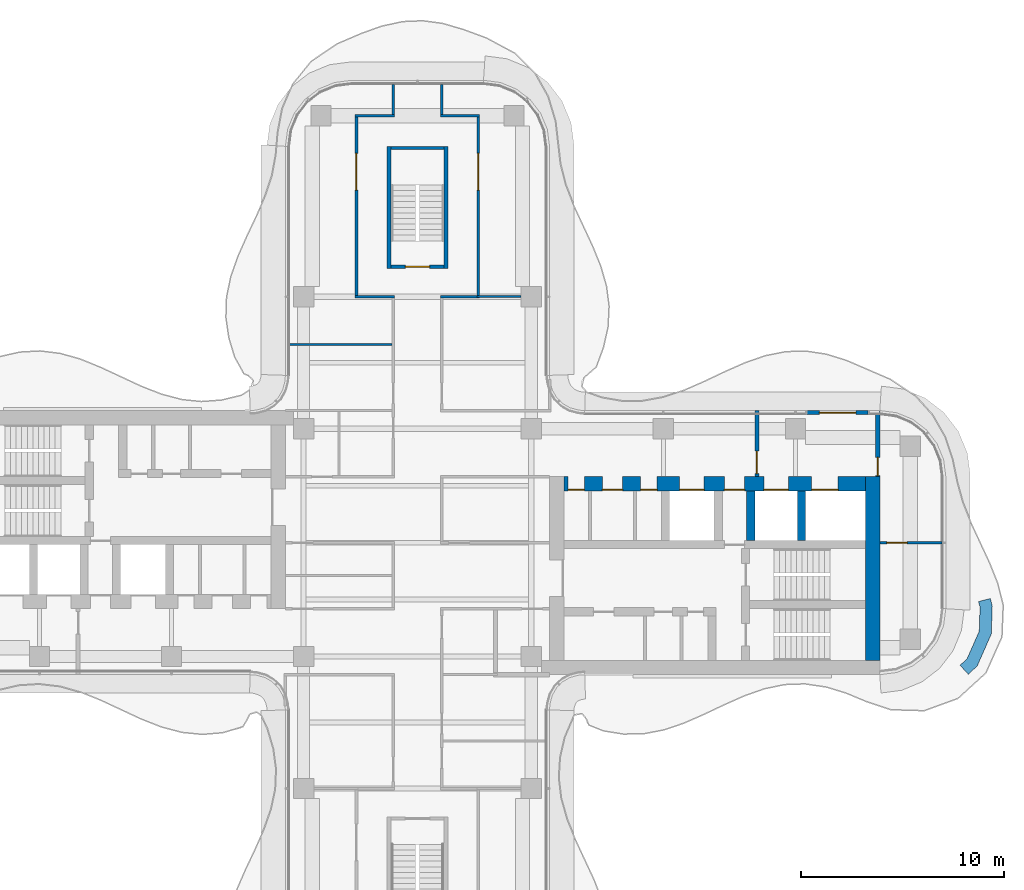
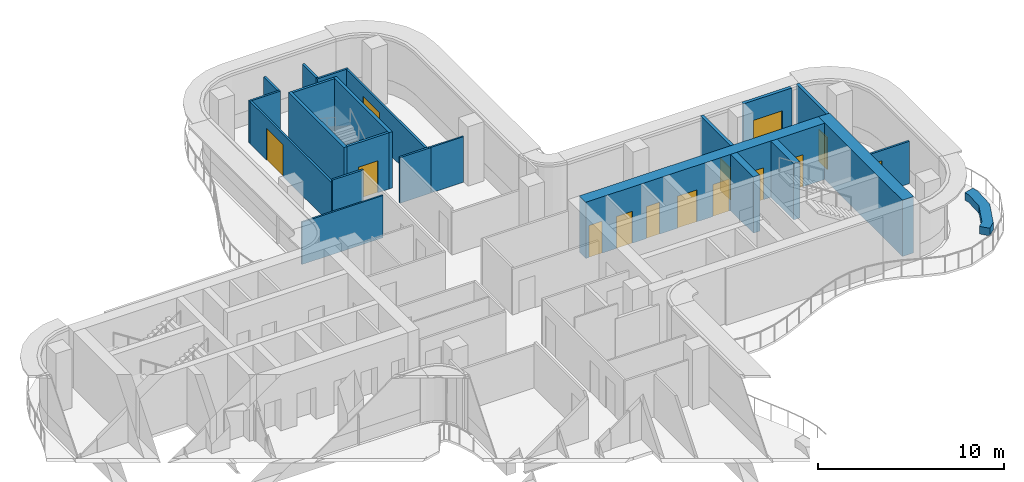
# One storey, part 14 of 17: 23 walls, 14 doors, 14 openings.
"""IFC4 building model written with IfcOpenShell, lengths in metres."""

from ifc_helpers import new_model, si_unit, direction, frame, frame_2d, origin, place, context, subcontext, project, spatial, polyline, rectangle, outline, extrude, source, transform, mapped, material, layer, layer_set, type_object, element, fill, save


model = new_model("IFC4")

# Units and contexts
model_context = context("Model", 3, precision=1e-05, world=origin(), true_north=direction((0.0, 1.0)))
body_context = subcontext(model_context, "Body", "Model", "MODEL_VIEW")
ifc_project = project(units=[si_unit("LENGTHUNIT", "METRE"), si_unit("AREAUNIT", "SQUARE_METRE"), si_unit("VOLUMEUNIT", "CUBIC_METRE"), si_unit("PLANEANGLEUNIT", "RADIAN"), si_unit("MASSUNIT", "GRAM", prefix="KILO")], contexts=[model_context])

# Site, building, storey
site_placement = place(None, origin())
site = spatial("IfcSite", under=ifc_project, at=site_placement, CompositionType="ELEMENT")
building_placement = place(site_placement, origin())
building = spatial("IfcBuilding", under=site, at=building_placement, Name="Trellis Farm Tower", CompositionType="ELEMENT")
storey_placement = place(building_placement, frame((0.0, 0.0, 295.0)))
storey = spatial("IfcBuildingStorey", under=building, at=storey_placement, Name="L66", CompositionType="ELEMENT", Elevation=295.0)

# Walls
ifc_material_1 = material(Name="Sandstone faced masonry planter", Category="masonry")
ifc_layer_1 = layer(ifc_material_1, 0.60009765625)
ifc_layer_set_1 = layer_set([ifc_layer_1], Name="PLANTER BED 600")
wall_type_1 = type_object("IfcWallType", Name="PLANTER BED 600", PredefinedType="USERDEFINED", material=ifc_layer_set_1)
wall_1_placement = place(storey_placement, origin())
element("IfcWall", 1, at=wall_1_placement, inside=storey, type_object=wall_type_1, Name="PLANTER bed", ObjectType="PLANTER", PredefinedType="USERDEFINED", context=body_context, shape_type="SweptSolid", body=[
    extrude(outline(polyline([(28.28515625, -3.113037109375), (28.236328125, -4.49951171875), (27.541015625, -6.077392578125), (27.102294921875, -6.477294921875), (26.697998046875, -6.03369140625), (27.04296875, -5.719482421875), (27.640869140625, -4.36328125), (27.682373046875, -3.179443359375), (27.609619140625, -2.900146484375), (28.190185546875, -2.7490234375), (28.28515625, -3.113037109375)])), origin(), (0.0, 0.0, 1.0), 0.5),
])
ifc_material_2 = material(Name="Concrete C50/60", Category="concrete")
ifc_layer_2 = layer(ifc_material_2, 0.699951171875)
ifc_layer_set_2 = layer_set([ifc_layer_2], Name="CORE OUTER WALL 700 CONCRETE C50/60")
wall_type_2 = type_object("IfcWallType", Name="CORE OUTER WALL 700 CONCRETE C50/60", PredefinedType="SHEAR", material=ifc_layer_set_2)
shared_shape_1 = source(origin(), body_context, "Body", "SweptSolid", [
    extrude(rectangle(XDim=9.050048828125, YDim=0.699951171875, at=frame_2d((4.52490234375, 0.0))), origin(), (0.0, 0.0, 1.0), 3.699951171875),
])
wall_2_placement = place(storey_placement, frame((22.39990234375, -5.800048828125, 0.0), z_axis=(0.0, 0.0, 1.0), x_axis=(0.0, 1.0, 0.0)))
element("IfcWall", 2, at=wall_2_placement, inside=storey, type_object=wall_type_2, Name="Core wall", PredefinedType="SHEAR", context=body_context, shape_type="MappedRepresentation", body=[
    mapped(shared_shape_1, transform((0.0, 0.0, 0.0))),
])
ifc_layer_3 = layer(ifc_material_2, 0.39990234375)
ifc_layer_set_3 = layer_set([ifc_layer_3], Name="CORE INNER WALL 400 CONCRETE C50/60")
wall_type_3 = type_object("IfcWallType", Name="CORE INNER WALL 400 CONCRETE C50/60", PredefinedType="SHEAR", material=ifc_layer_set_3)
shared_shape_2 = source(origin(), body_context, "Body", "SweptSolid", [
    extrude(rectangle(XDim=2.449951171875, YDim=0.39990234375, at=frame_2d((1.22509765625, 0.0))), origin(), (0.0, 0.0, 1.0), 3.699951171875),
])
for number, where, z_axis, x_axis, name in (
    (3, (16.39990234375, 0.10009765625, 0.0), (0.0, 0.0, 1.0), (0.0, 1.0, 0.0), "Core wall"),
    (4, (18.89990234375, 0.10009765625, 0.0), (0.0, 0.0, 1.0), (0.0, 1.0, 0.0), "Core wall"),
):
    element("IfcWall", number, at=place(storey_placement, frame(where, z_axis=z_axis, x_axis=x_axis)), inside=storey, type_object=wall_type_3, Name=name, PredefinedType="SHEAR", context=body_context, shape_type="MappedRepresentation", body=[
        mapped(shared_shape_2, transform((0.0, 0.0, 0.0))),
    ])

# Wall, opening, door
ifc_material_3 = material(Name="Masonry blockwork", Category="masonry")
ifc_layer_4 = layer(ifc_material_3, 0.199951171875)
ifc_layer_set_4 = layer_set([ifc_layer_4], Name="FIRE LOBBY PARTITION 200 BLOCKWORK")
wall_type_4 = type_object("IfcWallType", Name="FIRE LOBBY PARTITION 200 BLOCKWORK", PredefinedType="PARTITIONING", material=ifc_layer_set_4)
shared_shape_3 = source(origin(), body_context, "Body", "SweptSolid", [
    extrude(rectangle(XDim=3.25, YDim=0.199951171875, at=frame_2d((1.625, 0.0))), origin(), (0.0, 0.0, 1.0), 3.699951171875),
])
wall_3_placement = place(storey_placement, frame((16.699951171875, 3.25, 0.0), z_axis=(0.0, 0.0, 1.0), x_axis=(0.0, 1.0, 0.0)))
wall_3 = element("IfcWall", 5, at=wall_3_placement, inside=storey, type_object=wall_type_4, Name="Fire-fighting lobby partition", PredefinedType="PARTITIONING", context=body_context, shape_type="MappedRepresentation", body=[
    mapped(shared_shape_3, transform((0.0, 0.0, 0.0))),
])
shared_shape_4 = source(origin(), body_context, "Body", "SweptSolid", [
    extrude(rectangle(XDim=1.10009765625, YDim=2.10009765625, at=frame_2d((0.550048828125, 1.050048828125))), frame((0.0, 0.110107421875, 0.0), z_axis=(0.0, -1.0, 0.0), x_axis=(1.0, 0.0, 0.0)), (0.0, 0.0, 1.0), 0.22021484375),
])
opening_1_placement = place(wall_3_placement, frame((0.14990234375, 0.0, 0.0)))
opening_1 = element("IfcOpeningElement", 6, at=opening_1_placement, cuts=wall_3, Name="Opening DC7", PredefinedType="OPENING", context=body_context, shape_type="MappedRepresentation", body=[
    mapped(shared_shape_4, transform((0.0, 0.0, 0.0))),
])
ifc_material_4 = material(Name="Steel", Category="steel")
door_type_1 = type_object("IfcDoorType", Name="CORE FIRE DOOR 1100 X 2100", OperationType="NOTDEFINED", PredefinedType="DOOR", material=ifc_material_4)
shared_shape_5 = source(origin(), body_context, "Body", "SweptSolid", [
    extrude(rectangle(XDim=1.10009765625, YDim=2.10009765625, at=frame_2d((0.550048828125, 1.050048828125))), frame((0.0, 0.02490234375, 0.0), z_axis=(0.0, -1.0, 0.0), x_axis=(1.0, 0.0, 0.0)), (0.0, 0.0, 1.0), 0.050048828125),
])
door_1_placement = place(opening_1_placement, origin())
door_1 = element("IfcDoor", 7, at=door_1_placement, inside=storey, type_object=door_type_1, Name="Core door", OperationType="SINGLE_SWING_RIGHT", OverallHeight=2.10009765625, OverallWidth=1.10009765625, PredefinedType="DOOR", context=body_context, shape_type="MappedRepresentation", body=[
    mapped(shared_shape_5, transform((0.0, 0.0, 0.0))),
])
fill(opening_1, door_1)

wall_4_placement = place(storey_placement, frame((22.64990234375, 3.25, 0.0), z_axis=(0.0, 0.0, 1.0), x_axis=(0.0, 1.0, 0.0)))
wall_4 = element("IfcWall", 8, at=wall_4_placement, inside=storey, type_object=wall_type_4, Name="Fire-fighting lobby partition", PredefinedType="PARTITIONING", context=body_context, shape_type="MappedRepresentation", body=[
    mapped(shared_shape_3, transform((0.0, 0.0, 0.0))),
])
shared_shape_6 = source(origin(), body_context, "Body", "SweptSolid", [
    extrude(rectangle(XDim=0.89990234375, YDim=2.10009765625, at=frame_2d((0.449951171875, 1.050048828125))), frame((0.0, 0.110107421875, 0.0), z_axis=(0.0, -1.0, 0.0), x_axis=(1.0, 0.0, 0.0)), (0.0, 0.0, 1.0), 0.22021484375),
])
opening_2_placement = place(wall_4_placement, frame((0.050048828125, 0.0, 0.0)))
opening_2 = element("IfcOpeningElement", 9, at=opening_2_placement, cuts=wall_4, Name="Opening DC8", PredefinedType="OPENING", context=body_context, shape_type="MappedRepresentation", body=[
    mapped(shared_shape_6, transform((0.0, 0.0, 0.0))),
])
door_type_2 = type_object("IfcDoorType", Name="CORE FIRE DOOR 900 X 2100", OperationType="NOTDEFINED", PredefinedType="DOOR", material=ifc_material_4)
shared_shape_7 = source(origin(), body_context, "Body", "SweptSolid", [
    extrude(rectangle(XDim=0.89990234375, YDim=2.10009765625, at=frame_2d((0.449951171875, 1.050048828125))), frame((0.0, 0.02490234375, 0.0), z_axis=(0.0, -1.0, 0.0), x_axis=(1.0, 0.0, 0.0)), (0.0, 0.0, 1.0), 0.050048828125),
])
door_2_placement = place(opening_2_placement, origin())
door_2 = element("IfcDoor", 10, at=door_2_placement, inside=storey, type_object=door_type_2, Name="Core door", OperationType="SINGLE_SWING_RIGHT", OverallHeight=2.10009765625, OverallWidth=0.89990234375, PredefinedType="DOOR", context=body_context, shape_type="MappedRepresentation", body=[
    mapped(shared_shape_7, transform((0.0, 0.0, 0.0))),
])
fill(opening_2, door_2)

# Wall, openings, doors
shared_shape_8 = source(origin(), body_context, "Body", "SweptSolid", [
    extrude(rectangle(XDim=14.85009765625, YDim=0.699951171875, at=frame_2d((7.425048828125, 0.0))), origin(), (0.0, 0.0, 1.0), 3.699951171875),
])
wall_5_placement = place(storey_placement, frame((7.199951171875, 2.89990234375, 0.0), z_axis=(0.0, 0.0, 1.0), x_axis=(1.0, 0.0, 0.0)))
wall_5 = element("IfcWall", 11, at=wall_5_placement, inside=storey, type_object=wall_type_2, Name="Core wall", PredefinedType="SHEAR", context=body_context, shape_type="MappedRepresentation", body=[
    mapped(shared_shape_8, transform((0.0, 0.0, 0.0))),
])
shared_shape_9 = source(origin(), body_context, "Body", "SweptSolid", [
    extrude(rectangle(XDim=1.199951171875, YDim=2.10009765625, at=frame_2d((0.60009765625, 1.050048828125))), frame((0.0, 0.360107421875, 0.0), z_axis=(0.0, -1.0, 0.0), x_axis=(1.0, 0.0, 0.0)), (0.0, 0.0, 1.0), 0.72021484375),
])
opening_3_placement = place(wall_5_placement, frame((5.699951171875, 0.0, 0.0)))
opening_3 = element("IfcOpeningElement", 12, at=opening_3_placement, cuts=wall_5, Name="Opening LD6", PredefinedType="OPENING", context=body_context, shape_type="MappedRepresentation", body=[
    mapped(shared_shape_9, transform((0.0, 0.0, 0.0))),
])
shared_shape_10 = source(origin(), body_context, "Body", "SweptSolid", [
    extrude(rectangle(XDim=1.300048828125, YDim=2.10009765625, at=frame_2d((0.64990234375, 1.050048828125))), frame((0.0, 0.360107421875, 0.0), z_axis=(0.0, -1.0, 0.0), x_axis=(1.0, 0.0, 0.0)), (0.0, 0.0, 1.0), 0.72021484375),
])
opening_4_placement = place(wall_5_placement, frame((12.199951171875, 0.0, 0.0)))
opening_4 = element("IfcOpeningElement", 13, at=opening_4_placement, cuts=wall_5, Name="Opening LD7", PredefinedType="OPENING", context=body_context, shape_type="MappedRepresentation", body=[
    mapped(shared_shape_10, transform((0.0, 0.0, 0.0))),
])
opening_5_placement = place(wall_5_placement, frame((9.85009765625, 0.0, 0.0)))
opening_5 = element("IfcOpeningElement", 14, at=opening_5_placement, cuts=wall_5, Name="Opening LD8", PredefinedType="OPENING", context=body_context, shape_type="MappedRepresentation", body=[
    mapped(shared_shape_9, transform((0.0, 0.0, 0.0))),
])
shared_shape_11 = source(origin(), body_context, "Body", "SweptSolid", [
    extrude(rectangle(XDim=1.0, YDim=2.10009765625, at=frame_2d((0.5, 1.050048828125))), frame((0.0, 0.360107421875, 0.0), z_axis=(0.0, -1.0, 0.0), x_axis=(1.0, 0.0, 0.0)), (0.0, 0.0, 1.0), 0.72021484375),
])
opening_6_placement = place(wall_5_placement, frame((7.89990234375, 0.0, 0.0)))
opening_6 = element("IfcOpeningElement", 15, at=opening_6_placement, cuts=wall_5, Name="Opening DC6", PredefinedType="OPENING", context=body_context, shape_type="MappedRepresentation", body=[
    mapped(shared_shape_11, transform((0.0, 0.0, 0.0))),
])
shared_shape_12 = source(origin(), body_context, "Body", "SweptSolid", [
    extrude(rectangle(XDim=0.800048828125, YDim=2.10009765625, at=frame_2d((0.39990234375, 1.050048828125))), frame((0.0, 0.360107421875, 0.0), z_axis=(0.0, -1.0, 0.0), x_axis=(1.0, 0.0, 0.0)), (0.0, 0.0, 1.0), 0.72021484375),
])
opening_7_placement = place(wall_5_placement, frame((0.21240234375, 0.0, 0.0)))
opening_7 = element("IfcOpeningElement", 16, at=opening_7_placement, cuts=wall_5, Name="Opening DC10", PredefinedType="OPENING", context=body_context, shape_type="MappedRepresentation", body=[
    mapped(shared_shape_12, transform((0.0, 0.0, 0.0))),
])
opening_8_placement = place(wall_5_placement, frame((1.89990234375, 0.0, 0.0)))
opening_8 = element("IfcOpeningElement", 17, at=opening_8_placement, cuts=wall_5, Name="Opening DC19", PredefinedType="OPENING", context=body_context, shape_type="MappedRepresentation", body=[
    mapped(shared_shape_11, transform((0.0, 0.0, 0.0))),
])
opening_9_placement = place(wall_5_placement, frame((3.78759765625, 0.0, 0.0)))
opening_9 = element("IfcOpeningElement", 18, at=opening_9_placement, cuts=wall_5, Name="Opening DC22", PredefinedType="OPENING", context=body_context, shape_type="MappedRepresentation", body=[
    mapped(shared_shape_12, transform((0.0, 0.0, 0.0))),
])
door_type_3 = type_object("IfcDoorType", Name="CORE FIRE DOOR 1000 X 2100", OperationType="NOTDEFINED", PredefinedType="DOOR", material=ifc_material_4)
shared_shape_13 = source(origin(), body_context, "Body", "SweptSolid", [
    extrude(rectangle(XDim=1.0, YDim=2.10009765625, at=frame_2d((0.5, 1.050048828125))), frame((0.0, -0.27490234375, 0.0), z_axis=(0.0, -1.0, 0.0), x_axis=(1.0, 0.0, 0.0)), (0.0, 0.0, 1.0), 0.050048828125),
])
door_3_placement = place(opening_6_placement, origin())
door_3 = element("IfcDoor", 19, at=door_3_placement, inside=storey, type_object=door_type_3, Name="Core door", OperationType="SINGLE_SWING_LEFT", OverallHeight=2.10009765625, OverallWidth=1.0, PredefinedType="DOOR", context=body_context, shape_type="MappedRepresentation", body=[
    mapped(shared_shape_13, transform((0.0, 0.0, 0.0))),
])
fill(opening_6, door_3)
door_4_placement = place(opening_8_placement, origin())
door_4 = element("IfcDoor", 20, at=door_4_placement, inside=storey, type_object=door_type_3, Name="Core door", OperationType="SINGLE_SWING_LEFT", OverallHeight=2.10009765625, OverallWidth=1.0, PredefinedType="DOOR", context=body_context, shape_type="MappedRepresentation", body=[
    mapped(shared_shape_13, transform((0.0, 0.0, 0.0))),
])
fill(opening_8, door_4)
ifc_material_5 = material(Name="Stainless steel", Category="steel")
door_type_4 = type_object("IfcDoorType", Name="LIFT LANDING DOOR 1300 X 2100", OperationType="DOUBLE_DOOR_SLIDING", PredefinedType="DOOR", material=ifc_material_5)
shared_shape_14 = source(origin(), body_context, "Body", "SweptSolid", [
    extrude(rectangle(XDim=1.300048828125, YDim=2.10009765625, at=frame_2d((0.64990234375, 1.050048828125))), frame((0.0, -0.27490234375, 0.0), z_axis=(0.0, -1.0, 0.0), x_axis=(1.0, 0.0, 0.0)), (0.0, 0.0, 1.0), 0.050048828125),
])
door_5_placement = place(opening_4_placement, origin())
door_5 = element("IfcDoor", 21, at=door_5_placement, inside=storey, type_object=door_type_4, Name="Lift landing door", OperationType="DOUBLE_DOOR_SLIDING", OverallHeight=2.10009765625, OverallWidth=1.300048828125, PredefinedType="DOOR", context=body_context, shape_type="MappedRepresentation", body=[
    mapped(shared_shape_14, transform((0.0, 0.0, 0.0))),
])
fill(opening_4, door_5)
door_type_5 = type_object("IfcDoorType", Name="LIFT LANDING DOOR 1200 X 2100", OperationType="DOUBLE_DOOR_SLIDING", PredefinedType="DOOR", material=ifc_material_5)
shared_shape_15 = source(origin(), body_context, "Body", "SweptSolid", [
    extrude(rectangle(XDim=1.199951171875, YDim=2.10009765625, at=frame_2d((0.60009765625, 1.050048828125))), frame((0.0, -0.27490234375, 0.0), z_axis=(0.0, -1.0, 0.0), x_axis=(1.0, 0.0, 0.0)), (0.0, 0.0, 1.0), 0.050048828125),
])
door_6_placement = place(opening_3_placement, origin())
door_6 = element("IfcDoor", 22, at=door_6_placement, inside=storey, type_object=door_type_5, Name="Lift landing door", OperationType="DOUBLE_DOOR_SLIDING", OverallHeight=2.10009765625, OverallWidth=1.199951171875, PredefinedType="DOOR", context=body_context, shape_type="MappedRepresentation", body=[
    mapped(shared_shape_15, transform((0.0, 0.0, 0.0))),
])
fill(opening_3, door_6)
door_7_placement = place(opening_5_placement, origin())
door_7 = element("IfcDoor", 23, at=door_7_placement, inside=storey, type_object=door_type_5, Name="Lift landing door", OperationType="DOUBLE_DOOR_SLIDING", OverallHeight=2.10009765625, OverallWidth=1.199951171875, PredefinedType="DOOR", context=body_context, shape_type="MappedRepresentation", body=[
    mapped(shared_shape_15, transform((0.0, 0.0, 0.0))),
])
fill(opening_5, door_7)
door_type_6 = type_object("IfcDoorType", Name="CORE FIRE DOOR 800 X 2100", OperationType="NOTDEFINED", PredefinedType="DOOR", material=ifc_material_4)
shared_shape_16 = source(origin(), body_context, "Body", "SweptSolid", [
    extrude(rectangle(XDim=0.800048828125, YDim=2.10009765625, at=frame_2d((0.39990234375, 1.050048828125))), frame((0.0, -0.27490234375, 0.0), z_axis=(0.0, -1.0, 0.0), x_axis=(1.0, 0.0, 0.0)), (0.0, 0.0, 1.0), 0.050048828125),
])
door_8_placement = place(opening_7_placement, origin())
door_8 = element("IfcDoor", 24, at=door_8_placement, inside=storey, type_object=door_type_6, Name="Core door", OperationType="SINGLE_SWING_RIGHT", OverallHeight=2.10009765625, OverallWidth=0.800048828125, PredefinedType="DOOR", context=body_context, shape_type="MappedRepresentation", body=[
    mapped(shared_shape_16, transform((0.0, 0.0, 0.0))),
])
fill(opening_7, door_8)
door_9_placement = place(opening_9_placement, origin())
door_9 = element("IfcDoor", 25, at=door_9_placement, inside=storey, type_object=door_type_6, Name="Core door", OperationType="SINGLE_SWING_RIGHT", OverallHeight=2.10009765625, OverallWidth=0.800048828125, PredefinedType="DOOR", context=body_context, shape_type="MappedRepresentation", body=[
    mapped(shared_shape_16, transform((0.0, 0.0, 0.0))),
])
fill(opening_9, door_9)

# Walls
ifc_layer_5 = layer(ifc_material_2, 0.199951171875)
ifc_layer_set_5 = layer_set([ifc_layer_5], Name="CORE STAIR ENCLOSURE WALL 200 CONCRETE C50/60")
wall_type_5 = type_object("IfcWallType", Name="CORE STAIR ENCLOSURE WALL 200 CONCRETE C50/60", PredefinedType="SHEAR", material=ifc_layer_set_5)
shared_shape_17 = source(origin(), body_context, "Body", "SweptSolid", [
    extrude(rectangle(XDim=6.0, YDim=0.199951171875, at=frame_2d((3.0, 0.0))), origin(), (0.0, 0.0, 1.0), 3.699951171875),
])
for number, where, z_axis, x_axis, name in (
    (26, (-1.39990234375, 13.5, 0.0), (0.0, 0.0, 1.0), (0.0, 1.0, 0.0), "Stair enclosure wall"),
    (27, (1.39990234375, 13.5, 0.0), (0.0, 0.0, 1.0), (0.0, 1.0, 0.0), "Stair enclosure wall"),
):
    element("IfcWall", number, at=place(storey_placement, frame(where, z_axis=z_axis, x_axis=x_axis)), inside=storey, type_object=wall_type_5, Name=name, PredefinedType="SHEAR", context=body_context, shape_type="MappedRepresentation", body=[
        mapped(shared_shape_17, transform((0.0, 0.0, 0.0))),
    ])

# Wall, opening, door
ifc_layer_6 = layer(ifc_material_2, 0.14990234375)
ifc_layer_set_6 = layer_set([ifc_layer_6], Name="CORE STAIR ENCLOSURE WALL 150 CONCRETE C50/60")
wall_type_6 = type_object("IfcWallType", Name="CORE STAIR ENCLOSURE WALL 150 CONCRETE C50/60", PredefinedType="SHEAR", material=ifc_layer_set_6)
shared_shape_18 = source(origin(), body_context, "Body", "SweptSolid", [
    extrude(rectangle(XDim=2.60009765625, YDim=0.14990234375, at=frame_2d((1.300048828125, 0.0))), origin(), (0.0, 0.0, 1.0), 3.699951171875),
])
wall_6_placement = place(storey_placement, frame((-1.300048828125, 13.574951171875, 0.0), z_axis=(0.0, 0.0, 1.0), x_axis=(1.0, 0.0, 0.0)))
wall_6 = element("IfcWall", 28, at=wall_6_placement, inside=storey, type_object=wall_type_6, Name="Stair enclosure wall", PredefinedType="SHEAR", context=body_context, shape_type="MappedRepresentation", body=[
    mapped(shared_shape_18, transform((0.0, 0.0, 0.0))),
])
shared_shape_19 = source(origin(), body_context, "Body", "SweptSolid", [
    extrude(rectangle(XDim=1.199951171875, YDim=2.10009765625, at=frame_2d((0.60009765625, 1.050048828125))), frame((0.0, 0.0849609375, 0.0), z_axis=(0.0, -1.0, 0.0), x_axis=(1.0, 0.0, 0.0)), (0.0, 0.0, 1.0), 0.169921875),
])
opening_10_placement = place(wall_6_placement, frame((0.699951171875, 0.0, 0.0)))
opening_10 = element("IfcOpeningElement", 29, at=opening_10_placement, cuts=wall_6, Name="Opening DC173", PredefinedType="OPENING", context=body_context, shape_type="MappedRepresentation", body=[
    mapped(shared_shape_19, transform((0.0, 0.0, 0.0))),
])
door_type_7 = type_object("IfcDoorType", Name="CORE FIRE DOOR 1200 X 2100", OperationType="NOTDEFINED", PredefinedType="DOOR", material=ifc_material_4)
shared_shape_20 = source(origin(), body_context, "Body", "SweptSolid", [
    extrude(rectangle(XDim=1.199951171875, YDim=2.10009765625, at=frame_2d((0.60009765625, 1.050048828125))), frame((0.0, 0.02490234375, 0.0), z_axis=(0.0, -1.0, 0.0), x_axis=(1.0, 0.0, 0.0)), (0.0, 0.0, 1.0), 0.050048828125),
])
door_10_placement = place(opening_10_placement, origin())
door_10 = element("IfcDoor", 30, at=door_10_placement, inside=storey, type_object=door_type_7, Name="Core door", OperationType="SINGLE_SWING_LEFT", OverallHeight=2.10009765625, OverallWidth=1.199951171875, PredefinedType="DOOR", context=body_context, shape_type="MappedRepresentation", body=[
    mapped(shared_shape_20, transform((0.0, 0.0, 0.0))),
])
fill(opening_10, door_10)

# Wall
wall_7_placement = place(storey_placement, frame((-1.300048828125, 19.425048828125, 0.0), z_axis=(0.0, 0.0, 1.0), x_axis=(1.0, 0.0, 0.0)))
element("IfcWall", 31, at=wall_7_placement, inside=storey, type_object=wall_type_6, Name="Stair enclosure wall", PredefinedType="SHEAR", context=body_context, shape_type="MappedRepresentation", body=[
    mapped(shared_shape_18, transform((0.0, 0.0, 0.0))),
])

# Wall, opening, door
ifc_material_6 = material(Name="Sandstone faced insulated wall", Category="masonry")
ifc_layer_7 = layer(ifc_material_6, 0.199951171875)
ifc_layer_set_7 = layer_set([ifc_layer_7], Name="EXTERNAL INFILL WALL 200")
wall_type_7 = type_object("IfcWallType", Name="EXTERNAL INFILL WALL 200", PredefinedType="SOLIDWALL", material=ifc_layer_set_7)
shared_shape_21 = source(origin(), body_context, "Body", "SweptSolid", [
    extrude(rectangle(XDim=3.0, YDim=0.199951171875, at=frame_2d((1.5, 0.0))), origin(), (0.0, 0.0, 1.0), 3.699951171875),
])
wall_8_placement = place(storey_placement, frame((22.175048828125, 6.39990234375, 0.0), z_axis=(0.0, 0.0, 1.0), x_axis=(-1.0, 0.0, 0.0)))
wall_8 = element("IfcWall", 32, at=wall_8_placement, inside=storey, type_object=wall_type_7, Name="EW1 01", PredefinedType="SOLIDWALL", context=body_context, shape_type="MappedRepresentation", body=[
    mapped(shared_shape_21, transform((0.0, 0.0, 0.0))),
])
shared_shape_22 = source(origin(), body_context, "Body", "SweptSolid", [
    extrude(rectangle(XDim=1.800048828125, YDim=2.39990234375, at=frame_2d((0.89990234375, 1.199951171875))), frame((0.0, 0.110107421875, 0.0), z_axis=(0.0, -1.0, 0.0), x_axis=(1.0, 0.0, 0.0)), (0.0, 0.0, 1.0), 0.22021484375),
])
opening_11_placement = place(wall_8_placement, frame((0.60009765625, 0.0, 0.0)))
opening_11 = element("IfcOpeningElement", 33, at=opening_11_placement, cuts=wall_8, Name="Opening ED1", PredefinedType="OPENING", context=body_context, shape_type="MappedRepresentation", body=[
    mapped(shared_shape_22, transform((0.0, 0.0, 0.0))),
])
ifc_material_7 = material(Name="Aluminium framed glazed door", Category="aluminium")
door_type_8 = type_object("IfcDoorType", Name="BALCONY DOOR 1800x2400", OperationType="DOUBLE_DOOR_SINGLE_SWING", PredefinedType="DOOR", material=ifc_material_7)
shared_shape_23 = source(origin(), body_context, "Body", "SweptSolid", [
    extrude(rectangle(XDim=1.800048828125, YDim=2.39990234375, at=frame_2d((0.89990234375, 1.199951171875))), frame((0.0, 0.02490234375, 0.0), z_axis=(0.0, -1.0, 0.0), x_axis=(1.0, 0.0, 0.0)), (0.0, 0.0, 1.0), 0.050048828125),
])
door_11_placement = place(opening_11_placement, origin())
door_11 = element("IfcDoor", 34, at=door_11_placement, inside=storey, type_object=door_type_8, Name="Balcony door", OperationType="DOUBLE_DOOR_SINGLE_SWING", OverallHeight=2.39990234375, OverallWidth=1.800048828125, PredefinedType="DOOR", context=body_context, shape_type="MappedRepresentation", body=[
    mapped(shared_shape_23, transform((0.0, 0.0, 0.0))),
])
fill(opening_11, door_11)

# Walls
ifc_material_8 = material(Name="Plasterboard on steel studs, mineral wool", Category="steel")
ifc_layer_8 = layer(ifc_material_8, 0.125)
ifc_layer_set_8 = layer_set([ifc_layer_8], Name="PARTITION 125 STUD EI 60")
wall_type_8 = type_object("IfcWallType", Name="PARTITION 125 STUD EI 60", PredefinedType="PARTITIONING", material=ifc_layer_set_8)
shared_shape_24 = source(origin(), body_context, "Body", "SweptSolid", [
    extrude(rectangle(XDim=1.925048828125, YDim=0.125, at=frame_2d((0.96240234375, 0.0))), origin(), (0.0, 0.0, 1.0), 2.99658203125),
])
for number, where, z_axis, x_axis, name in (
    (35, (-1.137451171875, 12.10009765625, 0.0), (0.0, 0.0, 1.0), (-1.0, 0.0, 0.0), "Partition PW1"),
    (36, (3.0625, 12.10009765625, 0.0), (0.0, 0.0, 1.0), (-1.0, 0.0, 0.0), "Partition PW1"),
):
    element("IfcWall", number, at=place(storey_placement, frame(where, z_axis=z_axis, x_axis=x_axis)), inside=storey, type_object=wall_type_8, Name=name, PredefinedType="PARTITIONING", context=body_context, shape_type="MappedRepresentation", body=[
        mapped(shared_shape_24, transform((0.0, 0.0, 0.0))),
    ])
ifc_material_9 = material(Name="Plasterboard on steel studs", Category="steel")
ifc_layer_9 = layer(ifc_material_9, 0.10009765625)
ifc_layer_set_9 = layer_set([ifc_layer_9], Name="PARTITION 100 STUD EI 30")
wall_type_9 = type_object("IfcWallType", Name="PARTITION 100 STUD EI 30", PredefinedType="PARTITIONING", material=ifc_layer_set_9)
shared_shape_25 = source(origin(), body_context, "Body", "SweptSolid", [
    extrude(rectangle(XDim=5.03759765625, YDim=0.10009765625, at=frame_2d((2.518798828125, 0.0))), origin(), (0.0, 0.0, 1.0), 2.780029296875),
])
wall_9_placement = place(storey_placement, frame((-6.300048828125, 9.75, 0.0), z_axis=(0.0, 0.0, 1.0), x_axis=(1.0, 0.0, 0.0)))
element("IfcWall", 37, at=wall_9_placement, inside=storey, type_object=wall_type_9, Name="Partition PW2", PredefinedType="PARTITIONING", context=body_context, shape_type="MappedRepresentation", body=[
    mapped(shared_shape_25, transform((0.0, 0.0, 0.0))),
])

# Wall, opening, door
shared_shape_26 = source(origin(), body_context, "Body", "SweptSolid", [
    extrude(rectangle(XDim=8.77490234375, YDim=0.125, at=frame_2d((4.387451171875, 0.0))), origin(), (0.0, 0.0, 1.0), 2.780029296875),
])
wall_10_placement = place(storey_placement, frame((-3.0, 12.16259765625, 0.0), z_axis=(0.0, 0.0, 1.0), x_axis=(0.0, 1.0, 0.0)))
wall_10 = element("IfcWall", 38, at=wall_10_placement, inside=storey, type_object=wall_type_8, Name="Partition PW1", PredefinedType="PARTITIONING", context=body_context, shape_type="MappedRepresentation", body=[
    mapped(shared_shape_26, transform((0.0, 0.0, 0.0))),
])
shared_shape_27 = source(origin(), body_context, "Body", "SweptSolid", [
    extrude(rectangle(XDim=1.800048828125, YDim=2.10009765625, at=frame_2d((0.89990234375, 1.050048828125))), frame((0.0, 0.072509765625, 0.0), z_axis=(0.0, -1.0, 0.0), x_axis=(1.0, 0.0, 0.0)), (0.0, 0.0, 1.0), 0.14501953125),
])
opening_12_placement = place(wall_10_placement, frame((5.1875, 0.0, 0.0)))
opening_12 = element("IfcOpeningElement", 39, at=opening_12_placement, cuts=wall_10, Name="Opening D203", PredefinedType="OPENING", context=body_context, shape_type="MappedRepresentation", body=[
    mapped(shared_shape_27, transform((0.0, 0.0, 0.0))),
])
ifc_material_10 = material(Name="Fire-rated timber door leaf in a hollow metal frame", Category="wood")
door_type_9 = type_object("IfcDoorType", Name="DOOR PAIR 1800x2100 FD30S", OperationType="NOTDEFINED", PredefinedType="DOOR", material=ifc_material_10)
shared_shape_28 = source(origin(), body_context, "Body", "SweptSolid", [
    extrude(rectangle(XDim=1.800048828125, YDim=2.10009765625, at=frame_2d((0.89990234375, 1.050048828125))), frame((0.0, 0.02490234375, 0.0), z_axis=(0.0, -1.0, 0.0), x_axis=(1.0, 0.0, 0.0)), (0.0, 0.0, 1.0), 0.050048828125),
])
door_12_placement = place(opening_12_placement, origin())
door_12 = element("IfcDoor", 40, at=door_12_placement, inside=storey, type_object=door_type_9, Name="Door D203", OperationType="DOUBLE_DOOR_SINGLE_SWING", OverallHeight=2.10009765625, OverallWidth=1.800048828125, PredefinedType="DOOR", context=body_context, shape_type="MappedRepresentation", body=[
    mapped(shared_shape_28, transform((0.0, 0.0, 0.0))),
])
fill(opening_12, door_12)

# Walls
shared_shape_29 = source(origin(), body_context, "Body", "SweptSolid", [
    extrude(rectangle(XDim=1.487548828125, YDim=0.125, at=frame_2d((0.74365234375, 0.0))), origin(), (0.0, 0.0, 1.0), 2.780029296875),
])
for number, where, z_axis, x_axis, name in (
    (41, (-1.199951171875, 22.550048828125, 0.0), (0.0, 0.0, 1.0), (0.0, -1.0, 0.0), "Partition PW1"),
    (42, (1.199951171875, 22.550048828125, 0.0), (0.0, 0.0, 1.0), (0.0, -1.0, 0.0), "Partition PW1"),
):
    element("IfcWall", number, at=place(storey_placement, frame(where, z_axis=z_axis, x_axis=x_axis)), inside=storey, type_object=wall_type_8, Name=name, PredefinedType="PARTITIONING", context=body_context, shape_type="MappedRepresentation", body=[
        mapped(shared_shape_29, transform((0.0, 0.0, 0.0))),
    ])
shared_shape_30 = source(origin(), body_context, "Body", "SweptSolid", [
    extrude(rectangle(XDim=1.925048828125, YDim=0.125, at=frame_2d((0.96240234375, 0.0))), origin(), (0.0, 0.0, 1.0), 2.780029296875),
])
for number, where, z_axis, x_axis, name in (
    (43, (-3.0625, 21.0, 0.0), (0.0, 0.0, 1.0), (1.0, 0.0, 0.0), "Partition PW1"),
    (44, (1.137451171875, 21.0, 0.0), (0.0, 0.0, 1.0), (1.0, 0.0, 0.0), "Partition PW1"),
):
    element("IfcWall", number, at=place(storey_placement, frame(where, z_axis=z_axis, x_axis=x_axis)), inside=storey, type_object=wall_type_8, Name=name, PredefinedType="PARTITIONING", context=body_context, shape_type="MappedRepresentation", body=[
        mapped(shared_shape_30, transform((0.0, 0.0, 0.0))),
    ])

# Wall, opening, door
shared_shape_31 = source(origin(), body_context, "Body", "SweptSolid", [
    extrude(rectangle(XDim=8.78759765625, YDim=0.125, at=frame_2d((4.393798828125, 0.0))), origin(), (0.0, 0.0, 1.0), 2.780029296875),
])
wall_11_placement = place(storey_placement, frame((3.0, 20.9375, 0.0), z_axis=(0.0, 0.0, 1.0), x_axis=(0.0, -1.0, 0.0)))
wall_11 = element("IfcWall", 45, at=wall_11_placement, inside=storey, type_object=wall_type_8, Name="Partition PW1", PredefinedType="PARTITIONING", context=body_context, shape_type="MappedRepresentation", body=[
    mapped(shared_shape_31, transform((0.0, 0.0, 0.0))),
])
opening_13_placement = place(wall_11_placement, frame((1.78759765625, 0.0, 0.0)))
opening_13 = element("IfcOpeningElement", 46, at=opening_13_placement, cuts=wall_11, Name="Opening D204", PredefinedType="OPENING", context=body_context, shape_type="MappedRepresentation", body=[
    mapped(shared_shape_27, transform((0.0, 0.0, 0.0))),
])
door_13_placement = place(opening_13_placement, origin())
door_13 = element("IfcDoor", 47, at=door_13_placement, inside=storey, type_object=door_type_9, Name="Door D204", OperationType="DOUBLE_DOOR_SINGLE_SWING", OverallHeight=2.10009765625, OverallWidth=1.800048828125, PredefinedType="DOOR", context=body_context, shape_type="MappedRepresentation", body=[
    mapped(shared_shape_28, transform((0.0, 0.0, 0.0))),
])
fill(opening_13, door_13)

shared_shape_32 = source(origin(), body_context, "Body", "SweptSolid", [
    extrude(rectangle(XDim=3.050048828125, YDim=0.125, at=frame_2d((1.52490234375, 0.0))), origin(), (0.0, 0.0, 1.0), 2.780029296875),
])
wall_12_placement = place(storey_placement, frame((25.800048828125, 0.0, 0.0), z_axis=(0.0, 0.0, 1.0), x_axis=(-1.0, 0.0, 0.0)))
wall_12 = element("IfcWall", 48, at=wall_12_placement, inside=storey, type_object=wall_type_8, Name="Partition PW1", PredefinedType="PARTITIONING", context=body_context, shape_type="MappedRepresentation", body=[
    mapped(shared_shape_32, transform((0.0, 0.0, 0.0))),
])
shared_shape_33 = source(origin(), body_context, "Body", "SweptSolid", [
    extrude(rectangle(XDim=1.0, YDim=2.10009765625, at=frame_2d((0.5, 1.050048828125))), frame((0.0, 0.072509765625, 0.0), z_axis=(0.0, -1.0, 0.0), x_axis=(1.0, 0.0, 0.0)), (0.0, 0.0, 1.0), 0.14501953125),
])
opening_14_placement = place(wall_12_placement, frame((1.699951171875, 0.0, 0.0)))
opening_14 = element("IfcOpeningElement", 49, at=opening_14_placement, cuts=wall_12, Name="Opening D107", PredefinedType="OPENING", context=body_context, shape_type="MappedRepresentation", body=[
    mapped(shared_shape_33, transform((0.0, 0.0, 0.0))),
])
door_type_10 = type_object("IfcDoorType", Name="DOOR 1000x2100 FD30S", OperationType="NOTDEFINED", PredefinedType="DOOR", material=ifc_material_10)
shared_shape_34 = source(origin(), body_context, "Body", "SweptSolid", [
    extrude(rectangle(XDim=1.0, YDim=2.10009765625, at=frame_2d((0.5, 1.050048828125))), frame((0.0, 0.02490234375, 0.0), z_axis=(0.0, -1.0, 0.0), x_axis=(1.0, 0.0, 0.0)), (0.0, 0.0, 1.0), 0.050048828125),
])
door_14_placement = place(opening_14_placement, origin())
door_14 = element("IfcDoor", 50, at=door_14_placement, inside=storey, type_object=door_type_10, Name="Door D107", OperationType="SINGLE_SWING_RIGHT", OverallHeight=2.10009765625, OverallWidth=1.0, PredefinedType="DOOR", context=body_context, shape_type="MappedRepresentation", body=[
    mapped(shared_shape_34, transform((0.0, 0.0, 0.0))),
])
fill(opening_14, door_14)

# Wall
shared_shape_35 = source(origin(), body_context, "Body", "SweptSolid", [
    extrude(rectangle(XDim=2.16259765625, YDim=0.10009765625, at=frame_2d((1.081298828125, 0.0))), origin(), (0.0, 0.0, 1.0), 2.99658203125),
])
wall_13_placement = place(storey_placement, frame((2.9375, 12.10009765625, 0.0), z_axis=(0.0, 0.0, 1.0), x_axis=(1.0, 0.0, 0.0)))
element("IfcWall", 51, at=wall_13_placement, inside=storey, type_object=wall_type_9, Name="Partition PW2", PredefinedType="PARTITIONING", context=body_context, shape_type="MappedRepresentation", body=[
    mapped(shared_shape_35, transform((0.0, 0.0, 0.0))),
])

save(model, "model.ifc")
